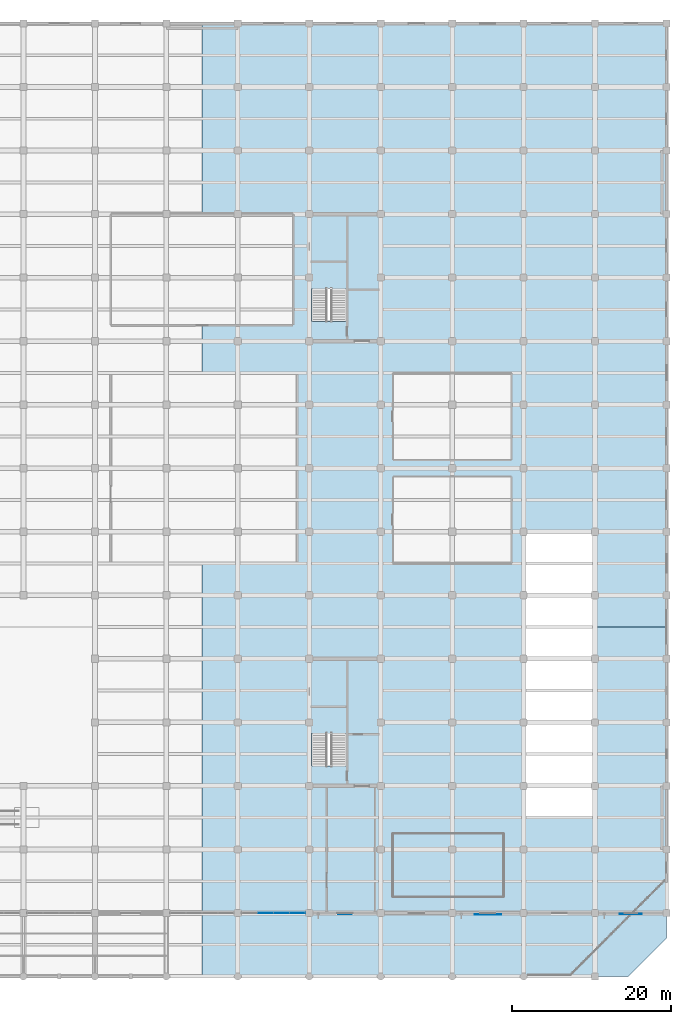
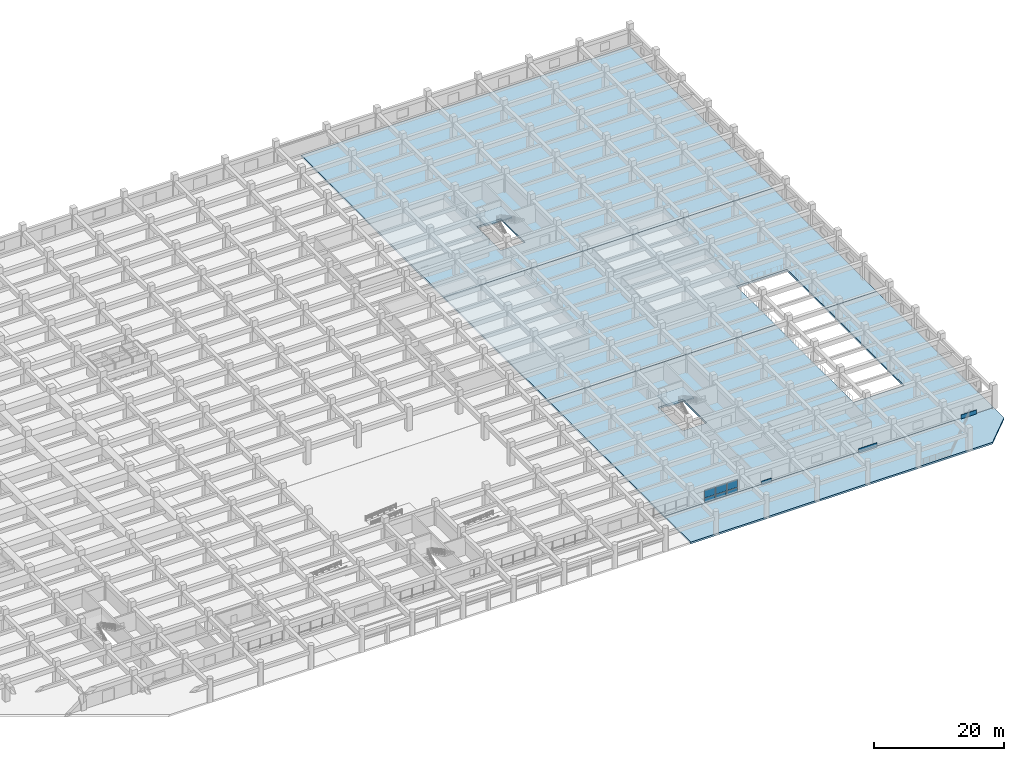
# One storey, part 20 of 40: 9 plates, 6 slabs, 3 elements without a shape of their own.
"""IFC4 building model written with IfcOpenShell, lengths in metres."""

import ifcopenshell
import ifcopenshell.guid

model = None  # the IFC model being written
_history = None  # IfcOwnerHistory: only IFC2X3 demands one
_inside = {}  # id of a spatial element -> (the spatial element, [elements in it])
_under = {}  # id of a project, library or spatial element -> (it, [spatial elements below it])
_declared = {}  # id of a project -> (the project, [libraries it declares])
_typed = {}  # id of a type object -> (the type object, [elements of that type])
_made_of = {}  # id of a material, layer set ... -> (it, [elements and type objects made of it])


def new_model(schema):
    """Start an empty IFC model of exactly this schema.

    Asked for "IFC4X3", IfcOpenShell would pick the latest addendum, in which some entities
    have other attributes; the version numbers below select the first issue.
    IFC2X3 requires an IfcOwnerHistory on every rooted entity: one is made here for all.
    """
    global model, _history
    if schema == "IFC4X3":
        model = ifcopenshell.file(schema_version=(4, 3, 0, 0))
    else:
        model = ifcopenshell.file(schema=schema)
    _inside.clear()
    _under.clear()
    _declared.clear()
    _typed.clear()
    _made_of.clear()
    _history = None
    if model.schema == "IFC2X3":
        org = make("IfcOrganization", Name="unknown")
        user = make(
            "IfcPersonAndOrganization",
            ThePerson=make("IfcPerson", FamilyName="unknown"),
            TheOrganization=org,
        )
        app = make(
            "IfcApplication",
            ApplicationDeveloper=org,
            Version="unknown",
            ApplicationFullName="unknown",
            ApplicationIdentifier="unknown",
        )
        _history = make(
            "IfcOwnerHistory",
            OwningUser=user,
            OwningApplication=app,
            ChangeAction="ADDED",
            CreationDate=0,
        )
    return model


def make(cls, **values):
    """One entity of the class cls with the attributes given. An attribute that is None is left unset."""
    return model.create_entity(
        cls, **{name: value for name, value in values.items() if value is not None}
    )


def rooted(cls, **values):
    """An entity with a GlobalId (a new one), such as an element, a storey or a relation."""
    return make(cls, GlobalId=ifcopenshell.guid.new(), OwnerHistory=_history, **values)


def si_unit(unit_type, name, prefix=None):
    """IfcSIUnit, for example si_unit("LENGTHUNIT", "METRE", prefix="MILLI")."""
    return make("IfcSIUnit", UnitType=unit_type, Prefix=prefix, Name=name)


def assignment(units):
    """IfcUnitAssignment: the units of a project."""
    return None if units is None else make("IfcUnitAssignment", Units=units)


def point(xyz):
    """IfcCartesianPoint."""
    return None if xyz is None else make("IfcCartesianPoint", Coordinates=xyz)


def direction(xyz):
    """IfcDirection."""
    return None if xyz is None else make("IfcDirection", DirectionRatios=xyz)


def frame(location, z_axis=None, x_axis=None):
    """IfcAxis2Placement3D, a coordinate frame: its origin and axes. An axis left out is left unset."""
    return make(
        "IfcAxis2Placement3D",
        Location=point(location),
        Axis=direction(z_axis),
        RefDirection=direction(x_axis),
    )


def frame_2d(location, x_axis=None):
    """IfcAxis2Placement2D, a coordinate frame in the plane: its origin and x axis."""
    return make(
        "IfcAxis2Placement2D", Location=point(location), RefDirection=direction(x_axis)
    )


def origin():
    """The frame at (0, 0, 0) with its axes left unset."""
    return frame((0.0, 0.0, 0.0))


def place(relative_to, where):
    """IfcLocalPlacement: puts the frame where relative to a parent placement (None: the world)."""
    return make(
        "IfcLocalPlacement", PlacementRelTo=relative_to, RelativePlacement=where
    )


def context(
    kind, dimensions, precision=None, world=None, true_north=None, identifier=None
):
    """IfcGeometricRepresentationContext, for example the 3D "Model" context."""
    return make(
        "IfcGeometricRepresentationContext",
        ContextIdentifier=identifier,
        ContextType=kind,
        CoordinateSpaceDimension=dimensions,
        Precision=precision,
        WorldCoordinateSystem=world,
        TrueNorth=true_north,
    )


def subcontext(parent, identifier, kind, view, scale=None):
    """IfcGeometricRepresentationSubContext, for example "Body" below "Model"."""
    return make(
        "IfcGeometricRepresentationSubContext",
        ContextIdentifier=identifier,
        ContextType=kind,
        ParentContext=parent,
        TargetScale=scale,
        TargetView=view,
    )


def project(units=None, contexts=None):
    """IfcProject with its units and contexts."""
    return rooted(
        "IfcProject",
        Name="project",
        RepresentationContexts=contexts,
        UnitsInContext=assignment(units),
    )


def spatial(cls, under=None, at=None, **own):
    """A site, building, storey or space (cls), placed at a placement, below another one or the project."""
    s = rooted(cls, ObjectPlacement=at, **own)
    if under is not None:
        _under.setdefault(under.id(), (under, []))[1].append(s)
    return s


def polyline(points):
    """IfcPolyline through the points."""
    return make("IfcPolyline", Points=[point(p) for p in points])


def profile(cls, at=None, kind="AREA", **sizes):
    """A parametric profile (cls). Its sizes go by their IFC names, for example OverallWidth=200.0."""
    return make(cls, ProfileType=kind, Position=at, **sizes)


def rectangle(**sizes):
    """IfcRectangleProfileDef."""
    return profile("IfcRectangleProfileDef", **sizes)


def outline(outer, holes=None, kind="AREA"):
    """IfcArbitraryClosedProfileDef: a profile drawn as a closed curve; with holes, ...WithVoids."""
    if holes is None:
        return make("IfcArbitraryClosedProfileDef", ProfileType=kind, OuterCurve=outer)
    return make(
        "IfcArbitraryProfileDefWithVoids",
        ProfileType=kind,
        OuterCurve=outer,
        InnerCurves=holes,
    )


def extrude(swept, where, along, depth):
    """IfcExtrudedAreaSolid: the profile swept, set in the frame where, extruded along a direction by depth."""
    return make(
        "IfcExtrudedAreaSolid",
        SweptArea=swept,
        Position=where,
        ExtrudedDirection=direction(along),
        Depth=depth,
    )


def shape(context_of_items, identifier, shape_type, items):
    """IfcShapeRepresentation: the items that make up one representation, for example the "Body"."""
    return make(
        "IfcShapeRepresentation",
        ContextOfItems=context_of_items,
        RepresentationIdentifier=identifier,
        RepresentationType=shape_type,
        Items=items,
    )


def material(Name=None, Category=None):
    """IfcMaterial."""
    return make("IfcMaterial", Name=Name, Category=Category)


def layer(
    of_material, thickness, ventilated=None, Name=None, Category=None, Priority=None
):
    """IfcMaterialLayer: one layer of a wall or slab, of a material (None: an air gap)."""
    return make(
        "IfcMaterialLayer",
        Material=of_material,
        LayerThickness=thickness,
        IsVentilated=ventilated,
        Name=Name,
        Category=Category,
        Priority=Priority,
    )


def layer_set(layers, Name=None):
    """IfcMaterialLayerSet."""
    return make("IfcMaterialLayerSet", MaterialLayers=layers, LayerSetName=Name)


def made_of(thing, what):
    """Note that an element or type object is made of a material, layer set ...; save() writes the relation."""
    if what is not None:
        _made_of.setdefault(what.id(), (what, []))[1].append(thing)
    return thing


def type_object(cls, material=None, **own):
    """A type object (cls), such as IfcWallType, which elements share."""
    return made_of(rooted(cls, **own), material)


def element(
    cls,
    number,
    at=None,
    inside=None,
    cuts=None,
    type_object=None,
    material=None,
    context=None,
    identifier="Body",
    shape_type=None,
    held_by="IfcProductDefinitionShape",
    body=None,
    shapes=None,
    **own,
):
    """One element of the class cls, such as IfcWall. Its Tag is "e" and its number.

    at: its placement. inside: the storey or other place that contains it. cuts: it is an
    opening in that element (IfcRelVoidsElement). A single representation is given by context,
    identifier, shape_type and body (its items); several are given by shapes. held_by: the class
    of the entity that holds the representations. save() writes the other relations.
    """
    e = rooted(cls, Tag="e%d" % number, ObjectPlacement=at, **own)
    if body is not None:
        shapes = [shape(context, identifier, shape_type, body)]
    if shapes is not None:
        e.Representation = make(held_by, Representations=shapes)
    if inside is not None:
        _inside.setdefault(inside.id(), (inside, []))[1].append(e)
    if cuts is not None:
        rooted(
            "IfcRelVoidsElement", RelatingBuildingElement=cuts, RelatedOpeningElement=e
        )
    if type_object is not None:
        _typed.setdefault(type_object.id(), (type_object, []))[1].append(e)
    return made_of(e, material)


def aggregate(whole, parts):
    """IfcRelAggregates: a whole, such as a stair, and the parts it consists of."""
    return rooted("IfcRelAggregates", RelatingObject=whole, RelatedObjects=parts)


def save(model, path):
    """Write the relations noted so far, then the file.

    IfcRelAggregates (storeys below a building ...), IfcRelContainedInSpatialStructure (elements
    in a storey), IfcRelDefinesByType, IfcRelAssociatesMaterial and IfcRelDeclares: one each for
    every whole, place, type object, material and project.
    """
    for whole, parts in _under.values():
        aggregate(whole, parts)
    for where, things in _inside.values():
        rooted(
            "IfcRelContainedInSpatialStructure",
            RelatedElements=things,
            RelatingStructure=where,
        )
    for kind, things in _typed.values():
        rooted("IfcRelDefinesByType", RelatedObjects=things, RelatingType=kind)
    for what, things in _made_of.values():
        rooted("IfcRelAssociatesMaterial", RelatedObjects=things, RelatingMaterial=what)
    for by, libraries in _declared.values():
        rooted("IfcRelDeclares", RelatingContext=by, RelatedDefinitions=libraries)
    model.write(path)


model = new_model("IFC4")

# Units and contexts
model_context = context("Model", 3, precision=1e-05, world=origin(), true_north=direction((0.0, 1.0)))
body_context = subcontext(model_context, "Body", "Model", "MODEL_VIEW")
ifc_project = project(units=[si_unit("LENGTHUNIT", "METRE"), si_unit("AREAUNIT", "SQUARE_METRE"), si_unit("VOLUMEUNIT", "CUBIC_METRE"), si_unit("PLANEANGLEUNIT", "RADIAN"), si_unit("MASSUNIT", "GRAM", prefix="KILO")], contexts=[model_context])

# Site, building, storey
site_placement = place(None, origin())
site = spatial("IfcSite", under=ifc_project, at=site_placement, CompositionType="ELEMENT")
building_placement = place(site_placement, origin())
building = spatial("IfcBuilding", under=site, at=building_placement, Name="Zaverband Oceanarium and Marine Research Institute", CompositionType="ELEMENT")
storey_placement = place(building_placement, origin())
storey = spatial("IfcBuildingStorey", under=building, at=storey_placement, Name="L00", CompositionType="ELEMENT", Elevation=0.0)

# Curtain wall, plates
ifc_material_1 = material(Name="Thermally broken anodized aluminium and solar-control glass", Category="aluminium")
curtain_wall_type = type_object("IfcCurtainWallType", Name="CW-UNIT-1800", PredefinedType="NOTDEFINED", material=ifc_material_1)
curtain_wall_placement = place(storey_placement, origin())
curtain_wall = element("IfcCurtainWall", 1, at=curtain_wall_placement, inside=storey, type_object=curtain_wall_type, Name="Unitised glazed curtain wall CW-008", PredefinedType="NOTDEFINED")
ifc_material_2 = material(Name="Low-E double-glazed solar-control glass", Category="glass")
ifc_layer_1 = layer(ifc_material_2, 0.035888671875, Name="Low-E double-glazed solar-control glass")
ifc_layer_set_1 = layer_set([ifc_layer_1], Name="Low-E double-glazed solar-control glass")
plate_type_1 = type_object("IfcPlateType", Name="CWP-1765x1458", PredefinedType="CURTAIN_PANEL", material=ifc_layer_set_1)
plate_1_placement = place(storey_placement, frame((128.5576171875, 8.0, 0.991943359375), z_axis=(0.0, 0.0, 1.0), x_axis=(1.0, 0.0, 0.0)))
plate_1 = element("IfcPlate", 2, at=plate_1_placement, type_object=plate_type_1, Name="Glazed curtain wall panel CWP-1765x1458", PredefinedType="CURTAIN_PANEL", context=body_context, shape_type="SweptSolid", body=[
    extrude(rectangle(XDim=1.8623046875, YDim=0.035888671875, at=frame_2d((0.93115234375, 0.0))), origin(), (0.0, 0.0, 1.0), 1.4580078125),
])
plate_2_placement = place(storey_placement, frame((130.580078125, 8.0, 0.991943359375), z_axis=(0.0, 0.0, 1.0), x_axis=(1.0, 0.0, 0.0)))
plate_2 = element("IfcPlate", 3, at=plate_2_placement, type_object=plate_type_1, Name="Glazed curtain wall panel CWP-1765x1458", PredefinedType="CURTAIN_PANEL", context=body_context, shape_type="SweptSolid", body=[
    extrude(rectangle(XDim=1.8623046875, YDim=0.035888671875, at=frame_2d((0.93115234375, 0.0))), origin(), (0.0, 0.0, 1.0), 1.4580078125),
])
plate_3_placement = place(storey_placement, frame((132.6025390625, 8.0, 0.991943359375), z_axis=(0.0, 0.0, 1.0), x_axis=(1.0, 0.0, 0.0)))
plate_3 = element("IfcPlate", 4, at=plate_3_placement, type_object=plate_type_1, Name="Glazed curtain wall panel CWP-1765x1458", PredefinedType="CURTAIN_PANEL", context=body_context, shape_type="SweptSolid", body=[
    extrude(rectangle(XDim=1.862548828125, YDim=0.035888671875, at=frame_2d((0.93115234375, 0.0))), origin(), (0.0, 0.0, 1.0), 1.4580078125),
])
ifc_layer_2 = layer(ifc_material_2, 0.033935546875, Name="Low-E double-glazed solar-control glass")
ifc_layer_set_2 = layer_set([ifc_layer_2], Name="Low-E double-glazed solar-control glass")
plate_type_2 = type_object("IfcPlateType", Name="CWP-1765x872", PredefinedType="CURTAIN_PANEL", material=ifc_layer_set_2)
plate_4_placement = place(storey_placement, frame((128.5576171875, 8.0, 0.050048828125), z_axis=(0.0, 0.0, 1.0), x_axis=(1.0, 0.0, 0.0)))
plate_4 = element("IfcPlate", 5, at=plate_4_placement, type_object=plate_type_2, Name="Glazed curtain wall panel CWP-1765x872", PredefinedType="CURTAIN_PANEL", context=body_context, shape_type="SweptSolid", body=[
    extrude(rectangle(XDim=1.8623046875, YDim=0.033935546875, at=frame_2d((0.93115234375, 0.0))), origin(), (0.0, 0.0, 1.0), 0.8720703125),
])
plate_5_placement = place(storey_placement, frame((130.580078125, 8.0, 0.050048828125), z_axis=(0.0, 0.0, 1.0), x_axis=(1.0, 0.0, 0.0)))
plate_5 = element("IfcPlate", 6, at=plate_5_placement, type_object=plate_type_2, Name="Glazed curtain wall panel CWP-1765x872", PredefinedType="CURTAIN_PANEL", context=body_context, shape_type="SweptSolid", body=[
    extrude(rectangle(XDim=1.8623046875, YDim=0.033935546875, at=frame_2d((0.93115234375, 0.0))), origin(), (0.0, 0.0, 1.0), 0.8720703125),
])
plate_6_placement = place(storey_placement, frame((132.6025390625, 8.0, 0.050048828125), z_axis=(0.0, 0.0, 1.0), x_axis=(1.0, 0.0, 0.0)))
plate_6 = element("IfcPlate", 7, at=plate_6_placement, type_object=plate_type_2, Name="Glazed curtain wall panel CWP-1765x872", PredefinedType="CURTAIN_PANEL", context=body_context, shape_type="SweptSolid", body=[
    extrude(rectangle(XDim=1.862548828125, YDim=0.033935546875, at=frame_2d((0.93115234375, 0.0))), origin(), (0.0, 0.0, 1.0), 0.8720703125),
])
aggregate(curtain_wall, [plate_4, plate_1, plate_5, plate_2, plate_6, plate_3])

# Plates
ifc_material_3 = material(Name="Concrete C40/50 precast ochre", Category="concrete")
ifc_layer_3 = layer(ifc_material_3, 0.070068359375, Name="Concrete C40/50 precast ochre")
ifc_layer_set_3 = layer_set([ifc_layer_3], Name="Concrete C40/50 precast ochre")
plate_type_3 = type_object("IfcPlateType", Name="FRP-1750x700", PredefinedType="USERDEFINED", material=ifc_layer_set_3)
plate_7_placement = place(storey_placement, frame((138.625, 7.847412109375, 0.0), z_axis=(0.0, 0.0, 1.0), x_axis=(1.0, 0.0, 0.0)))
element("IfcPlate", 8, at=plate_7_placement, inside=storey, type_object=plate_type_3, Name="Geometric precast facade cladding panel FRP-1750x700", ObjectType="FLANGE_PLATE", PredefinedType="USERDEFINED", context=body_context, shape_type="SweptSolid", body=[
    extrude(rectangle(XDim=1.75, YDim=0.070068359375, at=frame_2d((0.875, 0.0))), origin(), (0.0, 0.0, 1.0), 0.699951171875),
])
ifc_layer_4 = layer(ifc_material_3, 0.080078125, Name="Concrete C40/50 precast ochre")
ifc_layer_set_4 = layer_set([ifc_layer_4], Name="Concrete C40/50 precast ochre")
plate_type_4 = type_object("IfcPlateType", Name="FRP-2750x760", PredefinedType="USERDEFINED", material=ifc_layer_set_4)
plate_8_placement = place(storey_placement, frame((174.125, 7.842529296875, 0.0), z_axis=(0.0, 0.0, 1.0), x_axis=(1.0, 0.0, 0.0)))
element("IfcPlate", 9, at=plate_8_placement, inside=storey, type_object=plate_type_4, Name="Geometric precast facade cladding panel FRP-2750x760", ObjectType="FLANGE_PLATE", PredefinedType="USERDEFINED", context=body_context, shape_type="SweptSolid", body=[
    extrude(rectangle(XDim=2.75, YDim=0.080078125, at=frame_2d((1.375, 0.0))), origin(), (0.0, 0.0, 1.0), 0.760009765625),
])
ifc_layer_5 = layer(ifc_material_3, 0.0849609375, Name="Concrete C40/50 precast ochre")
ifc_layer_set_5 = layer_set([ifc_layer_5], Name="Concrete C40/50 precast ochre")
plate_type_5 = type_object("IfcPlateType", Name="FRP-3300x800", PredefinedType="USERDEFINED", material=ifc_layer_set_5)
plate_9_placement = place(storey_placement, frame((155.85009765625, 7.8173828125, 0.0), z_axis=(0.0, 0.0, 1.0), x_axis=(1.0, 0.0, 0.0)))
element("IfcPlate", 10, at=plate_9_placement, inside=storey, type_object=plate_type_5, Name="Geometric precast facade cladding panel FRP-3300x800", ObjectType="FLANGE_PLATE", PredefinedType="USERDEFINED", context=body_context, shape_type="SweptSolid", body=[
    extrude(rectangle(XDim=3.2998046875, YDim=0.0849609375, at=frame_2d((1.64990234375, 0.0))), origin(), (0.0, 0.0, 1.0), 0.800048828125),
])

# Slab
ifc_material_4 = material(Name="Concrete C40/50", Category="concrete")
ifc_layer_6 = layer(ifc_material_4, 0.340087890625, Name="Concrete C40/50")
ifc_layer_set_6 = layer_set([ifc_layer_6], Name="Concrete C40/50")
slab_type_1 = type_object("IfcSlabType", Name="SLB-ARC-340", PredefinedType="FLOOR", material=ifc_layer_set_6)
slab_1_placement = place(storey_placement, frame((0.0, 0.0, -0.340087890625)))
element("IfcSlab", 11, at=slab_1_placement, inside=storey, type_object=slab_type_1, Name="Exterior terrace / balcony deck SLB-ARC-340", PredefinedType="FLOOR", context=body_context, shape_type="SweptSolid", body=[
    extrude(outline(polyline([(121.514892578125, 0.0), (175.199951171875, 0.0), (180.0, 4.800048828125), (180.0, 7.985107421875), (121.514892578125, 7.985107421875), (121.514892578125, 0.0)])), origin(), (0.0, 0.0, 1.0), 0.340087890625),
])

# Stair, slab
stair_type = type_object("IfcStairType", Name="STR-POD-1800-4500", PredefinedType="HALF_TURN_STAIR", material=ifc_material_4)
stair_1_placement = place(storey_placement, origin())
stair_1 = element("IfcStair", 12, at=stair_1_placement, inside=storey, type_object=stair_type, Name="Exit Stair ST-04 (L00)", PredefinedType="HALF_TURN_STAIR")
ifc_layer_7 = layer(ifc_material_4, 0.219970703125, Name="Concrete C40/50")
ifc_layer_set_7 = layer_set([ifc_layer_7], Name="Concrete C40/50")
slab_type_2 = type_object("IfcSlabType", Name="SLB-LND-220", PredefinedType="LANDING", material=ifc_layer_set_7)
slab_2_placement = place(storey_placement, frame((0.0, 0.0, 2.030029296875)))
slab_2 = element("IfcSlab", 13, at=slab_2_placement, type_object=slab_type_2, Name="Stair / ramp landing slab SLB-LND-220", PredefinedType="LANDING", context=body_context, shape_type="SweptSolid", body=[
    extrude(outline(polyline([(135.139892578125, 30.570068359375), (139.735107421875, 30.570068359375), (139.735107421875, 33.93505859375), (135.139892578125, 33.93505859375), (135.139892578125, 30.570068359375)])), origin(), (0.0, 0.0, 1.0), 0.219970703125),
])
aggregate(stair_1, [slab_2])

stair_2_placement = place(storey_placement, origin())
stair_2 = element("IfcStair", 14, at=stair_2_placement, inside=storey, type_object=stair_type, Name="Exit Stair ST-05 (L00)", PredefinedType="HALF_TURN_STAIR")
slab_3_placement = place(storey_placement, frame((0.0, 0.0, 2.030029296875)))
slab_3 = element("IfcSlab", 15, at=slab_3_placement, type_object=slab_type_2, Name="Stair / ramp landing slab SLB-LND-220", PredefinedType="LANDING", context=body_context, shape_type="SweptSolid", body=[
    extrude(outline(polyline([(135.139892578125, 86.570068359375), (139.735107421875, 86.570068359375), (139.735107421875, 89.93505859375), (135.139892578125, 89.93505859375), (135.139892578125, 86.570068359375)])), origin(), (0.0, 0.0, 1.0), 0.219970703125),
])
aggregate(stair_2, [slab_3])

# Slabs
ifc_layer_8 = layer(ifc_material_4, 0.35009765625, Name="Concrete C40/50")
ifc_layer_set_8 = layer_set([ifc_layer_8], Name="Concrete C40/50")
slab_type_3 = type_object("IfcSlabType", Name="SLB-PLZ-350", PredefinedType="FLOOR", material=ifc_layer_set_8)
slab_4_placement = place(storey_placement, frame((0.0, 0.0, -0.35009765625)))
element("IfcSlab", 16, at=slab_4_placement, inside=storey, type_object=slab_type_3, Name="Suspended floor slab SLB-PLZ-350", PredefinedType="FLOOR", context=body_context, shape_type="SweptSolid", body=[
    extrude(outline(polyline([(180.0, 43.985107421875), (180.0, 8.014892578125), (121.514892578125, 8.014892578125), (121.514892578125, 43.985107421875), (162.0, 43.985107421875), (162.0, 20.0), (171.0, 20.0), (171.0, 43.985107421875), (180.0, 43.985107421875)]), holes=[polyline([(139.64990234375, 33.85009765625), (135.35009765625, 33.85009765625), (135.35009765625, 26.5), (139.64990234375, 26.5), (139.64990234375, 33.85009765625)])]), origin(), (0.0, 0.0, 1.0), 0.35009765625),
])
slab_5_placement = place(storey_placement, frame((0.0, 0.0, -0.35009765625)))
element("IfcSlab", 17, at=slab_5_placement, inside=storey, type_object=slab_type_3, Name="Suspended floor slab SLB-PLZ-350", PredefinedType="FLOOR", context=body_context, shape_type="SweptSolid", body=[
    extrude(outline(polyline([(121.514892578125, 44.014892578125), (121.514892578125, 75.985107421875), (180.0, 75.985107421875), (180.0, 44.014892578125), (171.0, 44.014892578125), (171.0, 56.0), (162.0, 56.0), (162.0, 44.014892578125), (121.514892578125, 44.014892578125)])), origin(), (0.0, 0.0, 1.0), 0.35009765625),
])
slab_6_placement = place(storey_placement, frame((0.0, 0.0, -0.35009765625)))
element("IfcSlab", 18, at=slab_6_placement, inside=storey, type_object=slab_type_3, Name="Suspended floor slab SLB-PLZ-350", PredefinedType="FLOOR", context=body_context, shape_type="SweptSolid", body=[
    extrude(outline(polyline([(121.514892578125, 120.0), (180.0, 120.0), (180.0, 76.014892578125), (121.514892578125, 76.014892578125), (121.514892578125, 120.0)]), holes=[polyline([(139.64990234375, 89.85009765625), (135.35009765625, 89.85009765625), (135.35009765625, 82.5), (139.64990234375, 82.5), (139.64990234375, 89.85009765625)])]), origin(), (0.0, 0.0, 1.0), 0.35009765625),
])

save(model, "model.ifc")
